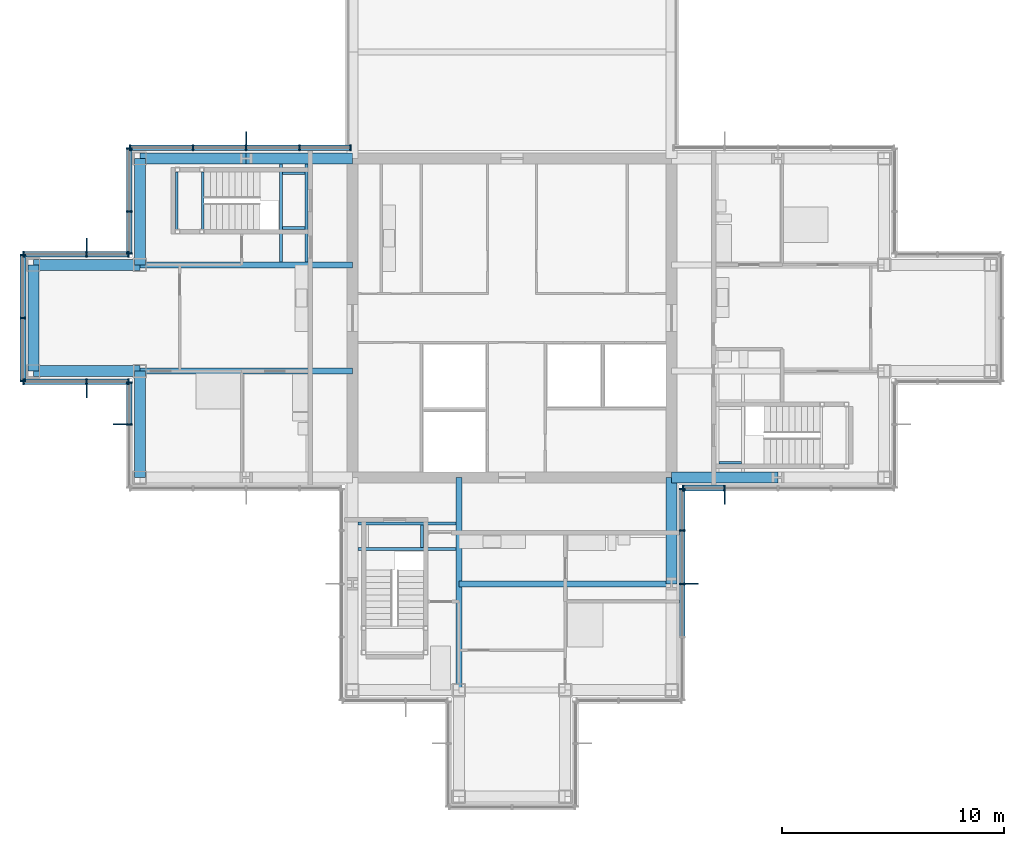
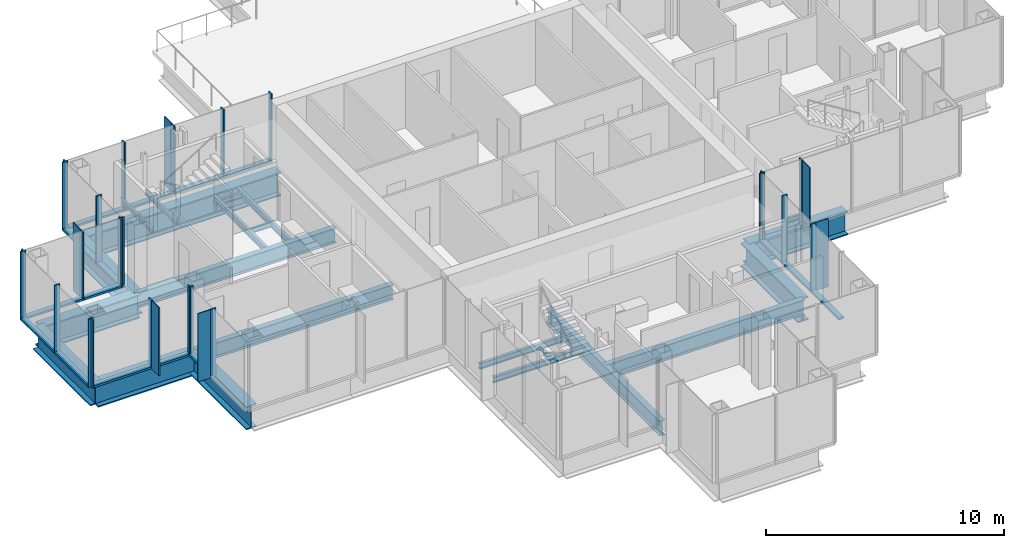
# One storey, part 6 of 14: 47 members, 23 beams, 8 elements without a shape of their own.
"""IFC4 building model written with IfcOpenShell, lengths in metres."""

import ifcopenshell
import ifcopenshell.guid

model = None  # the IFC model being written
_history = None  # IfcOwnerHistory: only IFC2X3 demands one
_inside = {}  # id of a spatial element -> (the spatial element, [elements in it])
_under = {}  # id of a project, library or spatial element -> (it, [spatial elements below it])
_declared = {}  # id of a project -> (the project, [libraries it declares])
_typed = {}  # id of a type object -> (the type object, [elements of that type])
_made_of = {}  # id of a material, layer set ... -> (it, [elements and type objects made of it])


def new_model(schema):
    """Start an empty IFC model of exactly this schema.

    Asked for "IFC4X3", IfcOpenShell would pick the latest addendum, in which some entities
    have other attributes; the version numbers below select the first issue.
    IFC2X3 requires an IfcOwnerHistory on every rooted entity: one is made here for all.
    """
    global model, _history
    if schema == "IFC4X3":
        model = ifcopenshell.file(schema_version=(4, 3, 0, 0))
    else:
        model = ifcopenshell.file(schema=schema)
    _inside.clear()
    _under.clear()
    _declared.clear()
    _typed.clear()
    _made_of.clear()
    _history = None
    if model.schema == "IFC2X3":
        org = make("IfcOrganization", Name="unknown")
        user = make(
            "IfcPersonAndOrganization",
            ThePerson=make("IfcPerson", FamilyName="unknown"),
            TheOrganization=org,
        )
        app = make(
            "IfcApplication",
            ApplicationDeveloper=org,
            Version="unknown",
            ApplicationFullName="unknown",
            ApplicationIdentifier="unknown",
        )
        _history = make(
            "IfcOwnerHistory",
            OwningUser=user,
            OwningApplication=app,
            ChangeAction="ADDED",
            CreationDate=0,
        )
    return model


def make(cls, **values):
    """One entity of the class cls with the attributes given. An attribute that is None is left unset."""
    return model.create_entity(
        cls, **{name: value for name, value in values.items() if value is not None}
    )


def rooted(cls, **values):
    """An entity with a GlobalId (a new one), such as an element, a storey or a relation."""
    return make(cls, GlobalId=ifcopenshell.guid.new(), OwnerHistory=_history, **values)


def si_unit(unit_type, name, prefix=None):
    """IfcSIUnit, for example si_unit("LENGTHUNIT", "METRE", prefix="MILLI")."""
    return make("IfcSIUnit", UnitType=unit_type, Prefix=prefix, Name=name)


def assignment(units):
    """IfcUnitAssignment: the units of a project."""
    return None if units is None else make("IfcUnitAssignment", Units=units)


def point(xyz):
    """IfcCartesianPoint."""
    return None if xyz is None else make("IfcCartesianPoint", Coordinates=xyz)


def direction(xyz):
    """IfcDirection."""
    return None if xyz is None else make("IfcDirection", DirectionRatios=xyz)


def frame(location, z_axis=None, x_axis=None):
    """IfcAxis2Placement3D, a coordinate frame: its origin and axes. An axis left out is left unset."""
    return make(
        "IfcAxis2Placement3D",
        Location=point(location),
        Axis=direction(z_axis),
        RefDirection=direction(x_axis),
    )


def frame_2d(location, x_axis=None):
    """IfcAxis2Placement2D, a coordinate frame in the plane: its origin and x axis."""
    return make(
        "IfcAxis2Placement2D", Location=point(location), RefDirection=direction(x_axis)
    )


def origin():
    """The frame at (0, 0, 0) with its axes left unset."""
    return frame((0.0, 0.0, 0.0))


def origin_2d():
    """The frame at (0, 0) in the plane with its x axis left unset."""
    return frame_2d((0.0, 0.0))


def place(relative_to, where):
    """IfcLocalPlacement: puts the frame where relative to a parent placement (None: the world)."""
    return make(
        "IfcLocalPlacement", PlacementRelTo=relative_to, RelativePlacement=where
    )


def context(
    kind, dimensions, precision=None, world=None, true_north=None, identifier=None
):
    """IfcGeometricRepresentationContext, for example the 3D "Model" context."""
    return make(
        "IfcGeometricRepresentationContext",
        ContextIdentifier=identifier,
        ContextType=kind,
        CoordinateSpaceDimension=dimensions,
        Precision=precision,
        WorldCoordinateSystem=world,
        TrueNorth=true_north,
    )


def subcontext(parent, identifier, kind, view, scale=None):
    """IfcGeometricRepresentationSubContext, for example "Body" below "Model"."""
    return make(
        "IfcGeometricRepresentationSubContext",
        ContextIdentifier=identifier,
        ContextType=kind,
        ParentContext=parent,
        TargetScale=scale,
        TargetView=view,
    )


def project(units=None, contexts=None):
    """IfcProject with its units and contexts."""
    return rooted(
        "IfcProject",
        Name="project",
        RepresentationContexts=contexts,
        UnitsInContext=assignment(units),
    )


def spatial(cls, under=None, at=None, **own):
    """A site, building, storey or space (cls), placed at a placement, below another one or the project."""
    s = rooted(cls, ObjectPlacement=at, **own)
    if under is not None:
        _under.setdefault(under.id(), (under, []))[1].append(s)
    return s


def profile(cls, at=None, kind="AREA", **sizes):
    """A parametric profile (cls). Its sizes go by their IFC names, for example OverallWidth=200.0."""
    return make(cls, ProfileType=kind, Position=at, **sizes)


def rectangle(**sizes):
    """IfcRectangleProfileDef."""
    return profile("IfcRectangleProfileDef", **sizes)


def i_section(**sizes):
    """IfcIShapeProfileDef."""
    return profile("IfcIShapeProfileDef", **sizes)


def extrude(swept, where, along, depth):
    """IfcExtrudedAreaSolid: the profile swept, set in the frame where, extruded along a direction by depth."""
    return make(
        "IfcExtrudedAreaSolid",
        SweptArea=swept,
        Position=where,
        ExtrudedDirection=direction(along),
        Depth=depth,
    )


def shape(context_of_items, identifier, shape_type, items):
    """IfcShapeRepresentation: the items that make up one representation, for example the "Body"."""
    return make(
        "IfcShapeRepresentation",
        ContextOfItems=context_of_items,
        RepresentationIdentifier=identifier,
        RepresentationType=shape_type,
        Items=items,
    )


def material(Name=None, Category=None):
    """IfcMaterial."""
    return make("IfcMaterial", Name=Name, Category=Category)


def material_profile(
    of_material, cross_section, Name=None, Category=None, Priority=None
):
    """IfcMaterialProfile: a cross section and its material."""
    return make(
        "IfcMaterialProfile",
        Name=Name,
        Material=of_material,
        Profile=cross_section,
        Priority=Priority,
        Category=Category,
    )


def profile_set(profiles, Name=None, composite=None):
    """IfcMaterialProfileSet."""
    return make(
        "IfcMaterialProfileSet",
        Name=Name,
        MaterialProfiles=profiles,
        CompositeProfile=composite,
    )


def made_of(thing, what):
    """Note that an element or type object is made of a material, layer set ...; save() writes the relation."""
    if what is not None:
        _made_of.setdefault(what.id(), (what, []))[1].append(thing)
    return thing


def type_object(cls, material=None, **own):
    """A type object (cls), such as IfcWallType, which elements share."""
    return made_of(rooted(cls, **own), material)


def element(
    cls,
    number,
    at=None,
    inside=None,
    cuts=None,
    type_object=None,
    material=None,
    context=None,
    identifier="Body",
    shape_type=None,
    held_by="IfcProductDefinitionShape",
    body=None,
    shapes=None,
    **own,
):
    """One element of the class cls, such as IfcWall. Its Tag is "e" and its number.

    at: its placement. inside: the storey or other place that contains it. cuts: it is an
    opening in that element (IfcRelVoidsElement). A single representation is given by context,
    identifier, shape_type and body (its items); several are given by shapes. held_by: the class
    of the entity that holds the representations. save() writes the other relations.
    """
    e = rooted(cls, Tag="e%d" % number, ObjectPlacement=at, **own)
    if body is not None:
        shapes = [shape(context, identifier, shape_type, body)]
    if shapes is not None:
        e.Representation = make(held_by, Representations=shapes)
    if inside is not None:
        _inside.setdefault(inside.id(), (inside, []))[1].append(e)
    if cuts is not None:
        rooted(
            "IfcRelVoidsElement", RelatingBuildingElement=cuts, RelatedOpeningElement=e
        )
    if type_object is not None:
        _typed.setdefault(type_object.id(), (type_object, []))[1].append(e)
    return made_of(e, material)


def aggregate(whole, parts):
    """IfcRelAggregates: a whole, such as a stair, and the parts it consists of."""
    return rooted("IfcRelAggregates", RelatingObject=whole, RelatedObjects=parts)


def save(model, path):
    """Write the relations noted so far, then the file.

    IfcRelAggregates (storeys below a building ...), IfcRelContainedInSpatialStructure (elements
    in a storey), IfcRelDefinesByType, IfcRelAssociatesMaterial and IfcRelDeclares: one each for
    every whole, place, type object, material and project.
    """
    for whole, parts in _under.values():
        aggregate(whole, parts)
    for where, things in _inside.values():
        rooted(
            "IfcRelContainedInSpatialStructure",
            RelatedElements=things,
            RelatingStructure=where,
        )
    for kind, things in _typed.values():
        rooted("IfcRelDefinesByType", RelatedObjects=things, RelatingType=kind)
    for what, things in _made_of.values():
        rooted("IfcRelAssociatesMaterial", RelatedObjects=things, RelatingMaterial=what)
    for by, libraries in _declared.values():
        rooted("IfcRelDeclares", RelatingContext=by, RelatedDefinitions=libraries)
    model.write(path)


model = new_model("IFC4")

# Units and contexts
model_context = context("Model", 3, precision=1e-05, world=origin(), true_north=direction((0.0, 1.0)))
body_context = subcontext(model_context, "Body", "Model", "MODEL_VIEW")
ifc_project = project(units=[si_unit("LENGTHUNIT", "METRE"), si_unit("AREAUNIT", "SQUARE_METRE"), si_unit("VOLUMEUNIT", "CUBIC_METRE"), si_unit("PLANEANGLEUNIT", "RADIAN"), si_unit("MASSUNIT", "GRAM", prefix="KILO")], contexts=[model_context])

# Site, building, storey
site_placement = place(None, origin())
site = spatial("IfcSite", under=ifc_project, at=site_placement, CompositionType="ELEMENT")
building_placement = place(site_placement, origin())
building = spatial("IfcBuilding", under=site, at=building_placement, Name="Kvirike Care Tower", CompositionType="ELEMENT")
storey_placement = place(building_placement, frame((0.0, 0.0, 194.5)))
storey = spatial("IfcBuildingStorey", under=building, at=storey_placement, Name="L53", CompositionType="ELEMENT", Elevation=194.5)

# Curtain wall, member
ifc_material_1 = material(Name="Anodised aluminium stick system", Category="aluminium")
curtain_wall_type = type_object("IfcCurtainWallType", Name="CW-D STICK CURTAIN WALL", PredefinedType="NOTDEFINED", material=ifc_material_1)
curtain_wall_1_placement = place(storey_placement, origin())
curtain_wall_1 = element("IfcCurtainWall", 1, at=curtain_wall_1_placement, inside=storey, type_object=curtain_wall_type, Name="Curtain wall L53 face 1", PredefinedType="NOTDEFINED")
ifc_material_2 = material(Name="Bronze anodised aluminium fin", Category="aluminium")
ifc_material_profile_1 = material_profile(ifc_material_2, rectangle(XDim=0.050048828125, YDim=0.60009765625, at=origin_2d()), Name="BRONZE FIN 600")
ifc_profile_set_1 = profile_set([ifc_material_profile_1], Name="Bronze anodised aluminium fin")
member_type_1 = type_object("IfcMemberType", Name="BRONZE FIN 600", PredefinedType="USERDEFINED", material=ifc_profile_set_1)
member_1_placement = place(storey_placement, frame((31.199951171875, 27.889892578125, 0.0), z_axis=(0.0, 0.0, 1.0), x_axis=(1.0, 0.0, 0.0)))
member_1 = element("IfcMember", 2, at=member_1_placement, type_object=member_type_1, Name="Bronze fin L53 face 1.2", ObjectType="FIN", PredefinedType="USERDEFINED", context=body_context, shape_type="SweptSolid", body=[
    extrude(rectangle(XDim=0.050048828125, YDim=0.60009765625, at=origin_2d()), origin(), (0.0, 0.0, 1.0), 3.5),
])

curtain_wall_2_placement = place(storey_placement, origin())
curtain_wall_2 = element("IfcCurtainWall", 3, at=curtain_wall_2_placement, inside=storey, type_object=curtain_wall_type, Name="Curtain wall L53 face 9", PredefinedType="NOTDEFINED")
member_2_placement = place(storey_placement, frame((9.60009765625, 44.110107421875, 0.0), z_axis=(0.0, 0.0, 1.0), x_axis=(-1.0, 0.0, 0.0)))
member_2 = element("IfcMember", 4, at=member_2_placement, type_object=member_type_1, Name="Bronze fin L53 face 9.3", ObjectType="FIN", PredefinedType="USERDEFINED", context=body_context, shape_type="SweptSolid", body=[
    extrude(rectangle(XDim=0.050048828125, YDim=0.60009765625, at=origin_2d()), origin(), (0.0, 0.0, 1.0), 3.5),
])

curtain_wall_3_placement = place(storey_placement, origin())
curtain_wall_3 = element("IfcCurtainWall", 5, at=curtain_wall_3_placement, inside=storey, type_object=curtain_wall_type, Name="Curtain wall L53 face 11", PredefinedType="NOTDEFINED")
member_3_placement = place(storey_placement, frame((2.39990234375, 39.31005859375, 0.0), z_axis=(0.0, 0.0, 1.0), x_axis=(-1.0, 0.0, 0.0)))
member_3 = element("IfcMember", 6, at=member_3_placement, type_object=member_type_1, Name="Bronze fin L53 face 11.2", ObjectType="FIN", PredefinedType="USERDEFINED", context=body_context, shape_type="SweptSolid", body=[
    extrude(rectangle(XDim=0.050048828125, YDim=0.60009765625, at=origin_2d()), origin(), (0.0, 0.0, 1.0), 3.5),
])

curtain_wall_4_placement = place(storey_placement, origin())
curtain_wall_4 = element("IfcCurtainWall", 7, at=curtain_wall_4_placement, inside=storey, type_object=curtain_wall_type, Name="Curtain wall L53 face 13", PredefinedType="NOTDEFINED")
member_4_placement = place(storey_placement, frame((2.39990234375, 32.68994140625, 0.0), z_axis=(0.0, 0.0, 1.0), x_axis=(1.0, 0.0, 0.0)))
member_4 = element("IfcMember", 8, at=member_4_placement, type_object=member_type_1, Name="Bronze fin L53 face 13.2", ObjectType="FIN", PredefinedType="USERDEFINED", context=body_context, shape_type="SweptSolid", body=[
    extrude(rectangle(XDim=0.050048828125, YDim=0.60009765625, at=origin_2d()), origin(), (0.0, 0.0, 1.0), 3.5),
])

curtain_wall_5_placement = place(storey_placement, origin())
curtain_wall_5 = element("IfcCurtainWall", 9, at=curtain_wall_5_placement, inside=storey, type_object=curtain_wall_type, Name="Curtain wall L53 face 14", PredefinedType="NOTDEFINED")
member_5_placement = place(storey_placement, frame((3.889892578125, 31.199951171875, 0.0), z_axis=(0.0, 0.0, 1.0), x_axis=(0.0, -1.0, 0.0)))
member_5 = element("IfcMember", 10, at=member_5_placement, type_object=member_type_1, Name="Bronze fin L53 face 14.2", ObjectType="FIN", PredefinedType="USERDEFINED", context=body_context, shape_type="SweptSolid", body=[
    extrude(rectangle(XDim=0.050048828125, YDim=0.60009765625, at=origin_2d()), origin(), (0.0, 0.0, 1.0), 3.5),
])

curtain_wall_6_placement = place(storey_placement, origin())
curtain_wall_6 = element("IfcCurtainWall", 11, at=curtain_wall_6_placement, inside=storey, type_object=curtain_wall_type, Name="Curtain wall L53 face 22", PredefinedType="NOTDEFINED")
member_6_placement = place(storey_placement, frame((29.7099609375, 24.0, 0.0), z_axis=(0.0, 0.0, 1.0), x_axis=(0.0, 1.0, 0.0)))
member_6 = element("IfcMember", 12, at=member_6_placement, type_object=member_type_1, Name="Bronze fin L53 face 22.3", ObjectType="FIN", PredefinedType="USERDEFINED", context=body_context, shape_type="SweptSolid", body=[
    extrude(rectangle(XDim=0.050048828125, YDim=0.60009765625, at=origin_2d()), origin(), (0.0, 0.0, 1.0), 3.5),
])

# Member
ifc_material_3 = material(Name="Bronze anodised aluminium mullion", Category="aluminium")
ifc_material_profile_2 = material_profile(ifc_material_3, rectangle(XDim=0.06494140625, YDim=0.260009765625, at=origin_2d()), Name="CW-D MULLION 65x260")
ifc_profile_set_2 = profile_set([ifc_material_profile_2], Name="Bronze anodised aluminium mullion")
member_type_2 = type_object("IfcMemberType", Name="CW-D MULLION 65x260", PredefinedType="MULLION", material=ifc_profile_set_2)
member_7_placement = place(storey_placement, frame((29.3125, 28.320068359375, 0.0), z_axis=(0.0, 0.0, 1.0), x_axis=(1.0, 0.0, 0.0)))
member_7 = element("IfcMember", 13, at=member_7_placement, type_object=member_type_2, Name="CW-D mullion L53 face 1.1", PredefinedType="MULLION", context=body_context, shape_type="SweptSolid", body=[
    extrude(rectangle(XDim=0.06494140625, YDim=0.260009765625, at=origin_2d()), origin(), (0.0, 0.0, 1.0), 3.5),
])

member_8_placement = place(storey_placement, frame((31.199951171875, 28.320068359375, 0.0), z_axis=(0.0, 0.0, 1.0), x_axis=(1.0, 0.0, 0.0)))
member_8 = element("IfcMember", 14, at=member_8_placement, type_object=member_type_2, Name="CW-D mullion L53 face 1.2", PredefinedType="MULLION", context=body_context, shape_type="SweptSolid", body=[
    extrude(rectangle(XDim=0.06494140625, YDim=0.260009765625, at=origin_2d()), origin(), (0.0, 0.0, 1.0), 3.5),
])

member_9_placement = place(storey_placement, frame((14.3173828125, 43.679931640625, 0.0), z_axis=(0.0, 0.0, 1.0), x_axis=(-1.0, 0.0, 0.0)))
member_9 = element("IfcMember", 15, at=member_9_placement, type_object=member_type_2, Name="CW-D mullion L53 face 9.1", PredefinedType="MULLION", context=body_context, shape_type="SweptSolid", body=[
    extrude(rectangle(XDim=0.06494140625, YDim=0.260009765625, at=origin_2d()), origin(), (0.0, 0.0, 1.0), 3.5),
])

member_10_placement = place(storey_placement, frame((12.0, 43.679931640625, 0.0), z_axis=(0.0, 0.0, 1.0), x_axis=(-1.0, 0.0, 0.0)))
member_10 = element("IfcMember", 16, at=member_10_placement, type_object=member_type_2, Name="CW-D mullion L53 face 9.2", PredefinedType="MULLION", context=body_context, shape_type="SweptSolid", body=[
    extrude(rectangle(XDim=0.06494140625, YDim=0.260009765625, at=origin_2d()), origin(), (0.0, 0.0, 1.0), 3.5),
])

member_11_placement = place(storey_placement, frame((9.60009765625, 43.679931640625, 0.0), z_axis=(0.0, 0.0, 1.0), x_axis=(-1.0, 0.0, 0.0)))
member_11 = element("IfcMember", 17, at=member_11_placement, type_object=member_type_2, Name="CW-D mullion L53 face 9.3", PredefinedType="MULLION", context=body_context, shape_type="SweptSolid", body=[
    extrude(rectangle(XDim=0.06494140625, YDim=0.260009765625, at=origin_2d()), origin(), (0.0, 0.0, 1.0), 3.5),
])

member_12_placement = place(storey_placement, frame((7.199951171875, 43.679931640625, 0.0), z_axis=(0.0, 0.0, 1.0), x_axis=(-1.0, 0.0, 0.0)))
member_12 = element("IfcMember", 18, at=member_12_placement, type_object=member_type_2, Name="CW-D mullion L53 face 9.4", PredefinedType="MULLION", context=body_context, shape_type="SweptSolid", body=[
    extrude(rectangle(XDim=0.06494140625, YDim=0.260009765625, at=origin_2d()), origin(), (0.0, 0.0, 1.0), 3.5),
])

member_13_placement = place(storey_placement, frame((4.3525390625, 43.679931640625, 0.0), z_axis=(0.0, 0.0, 1.0), x_axis=(-1.0, 0.0, 0.0)))
member_13 = element("IfcMember", 19, at=member_13_placement, type_object=member_type_2, Name="CW-D mullion L53 face 9.5", PredefinedType="MULLION", context=body_context, shape_type="SweptSolid", body=[
    extrude(rectangle(XDim=0.06494140625, YDim=0.260009765625, at=origin_2d()), origin(), (0.0, 0.0, 1.0), 3.5),
])

# Curtain wall, members
curtain_wall_7_placement = place(storey_placement, origin())
curtain_wall_7 = element("IfcCurtainWall", 20, at=curtain_wall_7_placement, inside=storey, type_object=curtain_wall_type, Name="Curtain wall L53 face 10", PredefinedType="NOTDEFINED")
member_14_placement = place(storey_placement, frame((4.320068359375, 43.6474609375, 0.0), z_axis=(0.0, 0.0, 1.0), x_axis=(0.0, -1.0, 0.0)))
member_14 = element("IfcMember", 21, at=member_14_placement, type_object=member_type_2, Name="CW-D mullion L53 face 10.1", PredefinedType="MULLION", context=body_context, shape_type="SweptSolid", body=[
    extrude(rectangle(XDim=0.06494140625, YDim=0.260009765625, at=origin_2d()), origin(), (0.0, 0.0, 1.0), 3.5),
])
member_15_placement = place(storey_placement, frame((4.320068359375, 40.800048828125, 0.0), z_axis=(0.0, 0.0, 1.0), x_axis=(0.0, -1.0, 0.0)))
member_15 = element("IfcMember", 22, at=member_15_placement, type_object=member_type_2, Name="CW-D mullion L53 face 10.2", PredefinedType="MULLION", context=body_context, shape_type="SweptSolid", body=[
    extrude(rectangle(XDim=0.06494140625, YDim=0.260009765625, at=origin_2d()), origin(), (0.0, 0.0, 1.0), 3.5),
])
member_16_placement = place(storey_placement, frame((4.320068359375, 38.91259765625, 0.0), z_axis=(0.0, 0.0, 1.0), x_axis=(0.0, -1.0, 0.0)))
member_16 = element("IfcMember", 23, at=member_16_placement, type_object=member_type_2, Name="CW-D mullion L53 face 10.3", PredefinedType="MULLION", context=body_context, shape_type="SweptSolid", body=[
    extrude(rectangle(XDim=0.06494140625, YDim=0.260009765625, at=origin_2d()), origin(), (0.0, 0.0, 1.0), 3.5),
])

# Member
member_17_placement = place(storey_placement, frame((4.28759765625, 38.8798828125, 0.0), z_axis=(0.0, 0.0, 1.0), x_axis=(-1.0, 0.0, 0.0)))
member_17 = element("IfcMember", 24, at=member_17_placement, type_object=member_type_2, Name="CW-D mullion L53 face 11.1", PredefinedType="MULLION", context=body_context, shape_type="SweptSolid", body=[
    extrude(rectangle(XDim=0.06494140625, YDim=0.260009765625, at=origin_2d()), origin(), (0.0, 0.0, 1.0), 3.5),
])

member_18_placement = place(storey_placement, frame((2.39990234375, 38.8798828125, 0.0), z_axis=(0.0, 0.0, 1.0), x_axis=(-1.0, 0.0, 0.0)))
member_18 = element("IfcMember", 25, at=member_18_placement, type_object=member_type_2, Name="CW-D mullion L53 face 11.2", PredefinedType="MULLION", context=body_context, shape_type="SweptSolid", body=[
    extrude(rectangle(XDim=0.06494140625, YDim=0.260009765625, at=origin_2d()), origin(), (0.0, 0.0, 1.0), 3.5),
])

member_19_placement = place(storey_placement, frame((-0.447509765625, 38.8798828125, 0.0), z_axis=(0.0, 0.0, 1.0), x_axis=(-1.0, 0.0, 0.0)))
member_19 = element("IfcMember", 26, at=member_19_placement, type_object=member_type_2, Name="CW-D mullion L53 face 11.3", PredefinedType="MULLION", context=body_context, shape_type="SweptSolid", body=[
    extrude(rectangle(XDim=0.06494140625, YDim=0.260009765625, at=origin_2d()), origin(), (0.0, 0.0, 1.0), 3.5),
])

# Curtain wall, members
curtain_wall_8_placement = place(storey_placement, origin())
curtain_wall_8 = element("IfcCurtainWall", 27, at=curtain_wall_8_placement, inside=storey, type_object=curtain_wall_type, Name="Curtain wall L53 face 12", PredefinedType="NOTDEFINED")
member_20_placement = place(storey_placement, frame((-0.47998046875, 38.847412109375, 0.0), z_axis=(0.0, 0.0, 1.0), x_axis=(0.0, -1.0, 0.0)))
member_20 = element("IfcMember", 28, at=member_20_placement, type_object=member_type_2, Name="CW-D mullion L53 face 12.1", PredefinedType="MULLION", context=body_context, shape_type="SweptSolid", body=[
    extrude(rectangle(XDim=0.06494140625, YDim=0.260009765625, at=origin_2d()), origin(), (0.0, 0.0, 1.0), 3.5),
])
member_21_placement = place(storey_placement, frame((-0.47998046875, 36.0, 0.0), z_axis=(0.0, 0.0, 1.0), x_axis=(0.0, -1.0, 0.0)))
member_21 = element("IfcMember", 29, at=member_21_placement, type_object=member_type_2, Name="CW-D mullion L53 face 12.2", PredefinedType="MULLION", context=body_context, shape_type="SweptSolid", body=[
    extrude(rectangle(XDim=0.06494140625, YDim=0.260009765625, at=origin_2d()), origin(), (0.0, 0.0, 1.0), 3.5),
])
member_22_placement = place(storey_placement, frame((-0.47998046875, 33.152587890625, 0.0), z_axis=(0.0, 0.0, 1.0), x_axis=(0.0, -1.0, 0.0)))
member_22 = element("IfcMember", 30, at=member_22_placement, type_object=member_type_2, Name="CW-D mullion L53 face 12.3", PredefinedType="MULLION", context=body_context, shape_type="SweptSolid", body=[
    extrude(rectangle(XDim=0.06494140625, YDim=0.260009765625, at=origin_2d()), origin(), (0.0, 0.0, 1.0), 3.5),
])

# Member
member_23_placement = place(storey_placement, frame((-0.447509765625, 33.1201171875, 0.0), z_axis=(0.0, 0.0, 1.0), x_axis=(1.0, 0.0, 0.0)))
member_23 = element("IfcMember", 31, at=member_23_placement, type_object=member_type_2, Name="CW-D mullion L53 face 13.1", PredefinedType="MULLION", context=body_context, shape_type="SweptSolid", body=[
    extrude(rectangle(XDim=0.06494140625, YDim=0.260009765625, at=origin_2d()), origin(), (0.0, 0.0, 1.0), 3.5),
])

member_24_placement = place(storey_placement, frame((2.39990234375, 33.1201171875, 0.0), z_axis=(0.0, 0.0, 1.0), x_axis=(1.0, 0.0, 0.0)))
member_24 = element("IfcMember", 32, at=member_24_placement, type_object=member_type_2, Name="CW-D mullion L53 face 13.2", PredefinedType="MULLION", context=body_context, shape_type="SweptSolid", body=[
    extrude(rectangle(XDim=0.06494140625, YDim=0.260009765625, at=origin_2d()), origin(), (0.0, 0.0, 1.0), 3.5),
])

member_25_placement = place(storey_placement, frame((4.28759765625, 33.1201171875, 0.0), z_axis=(0.0, 0.0, 1.0), x_axis=(1.0, 0.0, 0.0)))
member_25 = element("IfcMember", 33, at=member_25_placement, type_object=member_type_2, Name="CW-D mullion L53 face 13.3", PredefinedType="MULLION", context=body_context, shape_type="SweptSolid", body=[
    extrude(rectangle(XDim=0.06494140625, YDim=0.260009765625, at=origin_2d()), origin(), (0.0, 0.0, 1.0), 3.5),
])

member_26_placement = place(storey_placement, frame((4.320068359375, 33.08740234375, 0.0), z_axis=(0.0, 0.0, 1.0), x_axis=(0.0, -1.0, 0.0)))
member_26 = element("IfcMember", 34, at=member_26_placement, type_object=member_type_2, Name="CW-D mullion L53 face 14.1", PredefinedType="MULLION", context=body_context, shape_type="SweptSolid", body=[
    extrude(rectangle(XDim=0.06494140625, YDim=0.260009765625, at=origin_2d()), origin(), (0.0, 0.0, 1.0), 3.5),
])

member_27_placement = place(storey_placement, frame((4.320068359375, 31.199951171875, 0.0), z_axis=(0.0, 0.0, 1.0), x_axis=(0.0, -1.0, 0.0)))
member_27 = element("IfcMember", 35, at=member_27_placement, type_object=member_type_2, Name="CW-D mullion L53 face 14.2", PredefinedType="MULLION", context=body_context, shape_type="SweptSolid", body=[
    extrude(rectangle(XDim=0.06494140625, YDim=0.260009765625, at=origin_2d()), origin(), (0.0, 0.0, 1.0), 3.5),
])

member_28_placement = place(storey_placement, frame((29.280029296875, 24.0, 0.0), z_axis=(0.0, 0.0, 1.0), x_axis=(0.0, 1.0, 0.0)))
member_28 = element("IfcMember", 36, at=member_28_placement, type_object=member_type_2, Name="CW-D mullion L53 face 22.3", PredefinedType="MULLION", context=body_context, shape_type="SweptSolid", body=[
    extrude(rectangle(XDim=0.06494140625, YDim=0.260009765625, at=origin_2d()), origin(), (0.0, 0.0, 1.0), 3.5),
])

member_29_placement = place(storey_placement, frame((29.280029296875, 26.39990234375, 0.0), z_axis=(0.0, 0.0, 1.0), x_axis=(0.0, 1.0, 0.0)))
member_29 = element("IfcMember", 37, at=member_29_placement, type_object=member_type_2, Name="CW-D mullion L53 face 22.4", PredefinedType="MULLION", context=body_context, shape_type="SweptSolid", body=[
    extrude(rectangle(XDim=0.06494140625, YDim=0.260009765625, at=origin_2d()), origin(), (0.0, 0.0, 1.0), 3.5),
])

member_30_placement = place(storey_placement, frame((29.280029296875, 28.28759765625, 0.0), z_axis=(0.0, 0.0, 1.0), x_axis=(0.0, 1.0, 0.0)))
member_30 = element("IfcMember", 38, at=member_30_placement, type_object=member_type_2, Name="CW-D mullion L53 face 22.5", PredefinedType="MULLION", context=body_context, shape_type="SweptSolid", body=[
    extrude(rectangle(XDim=0.06494140625, YDim=0.260009765625, at=origin_2d()), origin(), (0.0, 0.0, 1.0), 3.5),
])

ifc_material_4 = material(Name="Bronze anodised aluminium transom", Category="aluminium")
ifc_material_profile_3 = material_profile(ifc_material_4, rectangle(XDim=0.260009765625, YDim=0.10009765625, at=origin_2d()), Name="CW-D TRANSOM 260x100")
ifc_profile_set_3 = profile_set([ifc_material_profile_3], Name="Bronze anodised aluminium transom")
member_type_3 = type_object("IfcMemberType", Name="CW-D TRANSOM 260x100", PredefinedType="USERDEFINED", material=ifc_profile_set_3)
member_31_placement = place(storey_placement, frame((29.344970703125, 28.320068359375, 0.050048828125), z_axis=(1.0, 0.0, 0.0), x_axis=(0.0, 1.0, 0.0)))
member_31 = element("IfcMember", 39, at=member_31_placement, type_object=member_type_3, Name="CW-D sill transom L53 face 1.1", ObjectType="TRANSOM", PredefinedType="USERDEFINED", context=body_context, shape_type="SweptSolid", body=[
    extrude(rectangle(XDim=0.260009765625, YDim=0.10009765625, at=origin_2d()), origin(), (0.0, 0.0, 1.0), 1.822509765625),
])

aggregate(curtain_wall_1, [member_7, member_8, member_1, member_31])

member_32_placement = place(storey_placement, frame((14.284912109375, 43.679931640625, 0.050048828125), z_axis=(-1.0, 0.0, 0.0), x_axis=(0.0, -1.0, 0.0)))
member_32 = element("IfcMember", 40, at=member_32_placement, type_object=member_type_3, Name="CW-D sill transom L53 face 9.1", ObjectType="TRANSOM", PredefinedType="USERDEFINED", context=body_context, shape_type="SweptSolid", body=[
    extrude(rectangle(XDim=0.260009765625, YDim=0.10009765625, at=origin_2d()), origin(), (0.0, 0.0, 1.0), 2.25244140625),
])

member_33_placement = place(storey_placement, frame((11.967529296875, 43.679931640625, 0.050048828125), z_axis=(-1.0, 0.0, 0.0), x_axis=(0.0, -1.0, 0.0)))
member_33 = element("IfcMember", 41, at=member_33_placement, type_object=member_type_3, Name="CW-D sill transom L53 face 9.2", ObjectType="TRANSOM", PredefinedType="USERDEFINED", context=body_context, shape_type="SweptSolid", body=[
    extrude(rectangle(XDim=0.260009765625, YDim=0.10009765625, at=origin_2d()), origin(), (0.0, 0.0, 1.0), 2.3349609375),
])

member_34_placement = place(storey_placement, frame((9.5673828125, 43.679931640625, 0.050048828125), z_axis=(-1.0, 0.0, 0.0), x_axis=(0.0, -1.0, 0.0)))
member_34 = element("IfcMember", 42, at=member_34_placement, type_object=member_type_3, Name="CW-D sill transom L53 face 9.3", ObjectType="TRANSOM", PredefinedType="USERDEFINED", context=body_context, shape_type="SweptSolid", body=[
    extrude(rectangle(XDim=0.260009765625, YDim=0.10009765625, at=origin_2d()), origin(), (0.0, 0.0, 1.0), 2.3349609375),
])

member_35_placement = place(storey_placement, frame((7.16748046875, 43.679931640625, 0.050048828125), z_axis=(-1.0, 0.0, 0.0), x_axis=(0.0, -1.0, 0.0)))
member_35 = element("IfcMember", 43, at=member_35_placement, type_object=member_type_3, Name="CW-D sill transom L53 face 9.4", ObjectType="TRANSOM", PredefinedType="USERDEFINED", context=body_context, shape_type="SweptSolid", body=[
    extrude(rectangle(XDim=0.260009765625, YDim=0.10009765625, at=origin_2d()), origin(), (0.0, 0.0, 1.0), 2.782470703125),
])

aggregate(curtain_wall_2, [member_9, member_10, member_11, member_2, member_12, member_13, member_32, member_33, member_34, member_35])

member_36_placement = place(storey_placement, frame((4.320068359375, 43.614990234375, 0.050048828125), z_axis=(0.0, -1.0, 0.0), x_axis=(1.0, 0.0, 0.0)))
member_36 = element("IfcMember", 44, at=member_36_placement, type_object=member_type_3, Name="CW-D sill transom L53 face 10.1", ObjectType="TRANSOM", PredefinedType="USERDEFINED", context=body_context, shape_type="SweptSolid", body=[
    extrude(rectangle(XDim=0.260009765625, YDim=0.10009765625, at=origin_2d()), origin(), (0.0, 0.0, 1.0), 2.782470703125),
])

member_37_placement = place(storey_placement, frame((4.320068359375, 40.767578125, 0.050048828125), z_axis=(0.0, -1.0, 0.0), x_axis=(1.0, 0.0, 0.0)))
member_37 = element("IfcMember", 45, at=member_37_placement, type_object=member_type_3, Name="CW-D sill transom L53 face 10.2", ObjectType="TRANSOM", PredefinedType="USERDEFINED", context=body_context, shape_type="SweptSolid", body=[
    extrude(rectangle(XDim=0.260009765625, YDim=0.10009765625, at=origin_2d()), origin(), (0.0, 0.0, 1.0), 1.822509765625),
])

aggregate(curtain_wall_7, [member_14, member_15, member_16, member_36, member_37])

member_38_placement = place(storey_placement, frame((4.2548828125, 38.8798828125, 0.050048828125), z_axis=(-1.0, 0.0, 0.0), x_axis=(0.0, -1.0, 0.0)))
member_38 = element("IfcMember", 46, at=member_38_placement, type_object=member_type_3, Name="CW-D sill transom L53 face 11.1", ObjectType="TRANSOM", PredefinedType="USERDEFINED", context=body_context, shape_type="SweptSolid", body=[
    extrude(rectangle(XDim=0.260009765625, YDim=0.10009765625, at=origin_2d()), origin(), (0.0, 0.0, 1.0), 1.822265625),
])

member_39_placement = place(storey_placement, frame((2.367431640625, 38.8798828125, 0.050048828125), z_axis=(-1.0, 0.0, 0.0), x_axis=(0.0, -1.0, 0.0)))
member_39 = element("IfcMember", 47, at=member_39_placement, type_object=member_type_3, Name="CW-D sill transom L53 face 11.2", ObjectType="TRANSOM", PredefinedType="USERDEFINED", context=body_context, shape_type="SweptSolid", body=[
    extrude(rectangle(XDim=0.260009765625, YDim=0.10009765625, at=origin_2d()), origin(), (0.0, 0.0, 1.0), 2.782470703125),
])

aggregate(curtain_wall_3, [member_17, member_18, member_3, member_19, member_38, member_39])

member_40_placement = place(storey_placement, frame((-0.47998046875, 38.81494140625, 0.050048828125), z_axis=(0.0, -1.0, 0.0), x_axis=(1.0, 0.0, 0.0)))
member_40 = element("IfcMember", 48, at=member_40_placement, type_object=member_type_3, Name="CW-D sill transom L53 face 12.1", ObjectType="TRANSOM", PredefinedType="USERDEFINED", context=body_context, shape_type="SweptSolid", body=[
    extrude(rectangle(XDim=0.260009765625, YDim=0.10009765625, at=origin_2d()), origin(), (0.0, 0.0, 1.0), 2.782470703125),
])

member_41_placement = place(storey_placement, frame((-0.47998046875, 35.967529296875, 0.050048828125), z_axis=(0.0, -1.0, 0.0), x_axis=(1.0, 0.0, 0.0)))
member_41 = element("IfcMember", 49, at=member_41_placement, type_object=member_type_3, Name="CW-D sill transom L53 face 12.2", ObjectType="TRANSOM", PredefinedType="USERDEFINED", context=body_context, shape_type="SweptSolid", body=[
    extrude(rectangle(XDim=0.260009765625, YDim=0.10009765625, at=origin_2d()), origin(), (0.0, 0.0, 1.0), 2.782470703125),
])

aggregate(curtain_wall_8, [member_20, member_21, member_22, member_40, member_41])

member_42_placement = place(storey_placement, frame((-0.4150390625, 33.1201171875, 0.050048828125), z_axis=(1.0, 0.0, 0.0), x_axis=(0.0, 1.0, 0.0)))
member_42 = element("IfcMember", 50, at=member_42_placement, type_object=member_type_3, Name="CW-D sill transom L53 face 13.1", ObjectType="TRANSOM", PredefinedType="USERDEFINED", context=body_context, shape_type="SweptSolid", body=[
    extrude(rectangle(XDim=0.260009765625, YDim=0.10009765625, at=origin_2d()), origin(), (0.0, 0.0, 1.0), 2.782470703125),
])

member_43_placement = place(storey_placement, frame((2.4326171875, 33.1201171875, 0.050048828125), z_axis=(1.0, 0.0, 0.0), x_axis=(0.0, 1.0, 0.0)))
member_43 = element("IfcMember", 51, at=member_43_placement, type_object=member_type_3, Name="CW-D sill transom L53 face 13.2", ObjectType="TRANSOM", PredefinedType="USERDEFINED", context=body_context, shape_type="SweptSolid", body=[
    extrude(rectangle(XDim=0.260009765625, YDim=0.10009765625, at=origin_2d()), origin(), (0.0, 0.0, 1.0), 1.822265625),
])

aggregate(curtain_wall_4, [member_23, member_24, member_4, member_25, member_42, member_43])

member_44_placement = place(storey_placement, frame((4.320068359375, 33.054931640625, 0.050048828125), z_axis=(0.0, -1.0, 0.0), x_axis=(1.0, 0.0, 0.0)))
member_44 = element("IfcMember", 52, at=member_44_placement, type_object=member_type_3, Name="CW-D sill transom L53 face 14.1", ObjectType="TRANSOM", PredefinedType="USERDEFINED", context=body_context, shape_type="SweptSolid", body=[
    extrude(rectangle(XDim=0.260009765625, YDim=0.10009765625, at=origin_2d()), origin(), (0.0, 0.0, 1.0), 1.822509765625),
])

aggregate(curtain_wall_5, [member_26, member_27, member_5, member_44])

member_45_placement = place(storey_placement, frame((29.280029296875, 21.632568359375, 0.050048828125), z_axis=(0.0, 1.0, 0.0), x_axis=(-1.0, 0.0, 0.0)))
member_45 = element("IfcMember", 53, at=member_45_placement, type_object=member_type_3, Name="CW-D sill transom L53 face 22.2", ObjectType="TRANSOM", PredefinedType="USERDEFINED", context=body_context, shape_type="SweptSolid", body=[
    extrude(rectangle(XDim=0.260009765625, YDim=0.10009765625, at=origin_2d()), origin(), (0.0, 0.0, 1.0), 2.3349609375),
])

member_46_placement = place(storey_placement, frame((29.280029296875, 24.032470703125, 0.050048828125), z_axis=(0.0, 1.0, 0.0), x_axis=(-1.0, 0.0, 0.0)))
member_46 = element("IfcMember", 54, at=member_46_placement, type_object=member_type_3, Name="CW-D sill transom L53 face 22.3", ObjectType="TRANSOM", PredefinedType="USERDEFINED", context=body_context, shape_type="SweptSolid", body=[
    extrude(rectangle(XDim=0.260009765625, YDim=0.10009765625, at=origin_2d()), origin(), (0.0, 0.0, 1.0), 2.3349609375),
])

member_47_placement = place(storey_placement, frame((29.280029296875, 26.4326171875, 0.050048828125), z_axis=(0.0, 1.0, 0.0), x_axis=(-1.0, 0.0, 0.0)))
member_47 = element("IfcMember", 55, at=member_47_placement, type_object=member_type_3, Name="CW-D sill transom L53 face 22.4", ObjectType="TRANSOM", PredefinedType="USERDEFINED", context=body_context, shape_type="SweptSolid", body=[
    extrude(rectangle(XDim=0.260009765625, YDim=0.10009765625, at=origin_2d()), origin(), (0.0, 0.0, 1.0), 1.822265625),
])

aggregate(curtain_wall_6, [member_28, member_6, member_29, member_30, member_45, member_46, member_47])

# Beams
ifc_material_5 = material(Name="Steel S355", Category="steel")
ifc_material_profile_4 = material_profile(ifc_material_5, i_section(OverallWidth=0.26806640625, OverallDepth=0.77001953125, WebThickness=0.015625, FlangeThickness=0.025390625, FilletRadius=0.01708984375, at=origin_2d()), Name="IPE 750x196")
ifc_profile_set_4 = profile_set([ifc_material_profile_4], Name="Steel S355")
beam_type_1 = type_object("IfcBeamType", Name="FLOOR BEAM IPE 750x196", PredefinedType="BEAM", material=ifc_profile_set_4)
beam_1_placement = place(storey_placement, frame((19.199951171875, 24.0, -0.554931640625), z_axis=(1.0, 0.0, 0.0), x_axis=(0.0, 1.0, 0.0)))
element("IfcBeam", 56, at=beam_1_placement, inside=storey, type_object=beam_type_1, Name="Floor Beam F7-F9 L53", PredefinedType="BEAM", context=body_context, shape_type="SweptSolid", body=[
    extrude(i_section(OverallWidth=0.26806640625, OverallDepth=0.77001953125, WebThickness=0.015625, FlangeThickness=0.025390625, FilletRadius=0.01708984375, at=origin_2d()), origin(), (0.0, 0.0, 1.0), 9.60009765625),
])
for number, where, z_axis, x_axis, name in (
    (57, (4.800048828125, 33.60009765625, -0.554931640625), (1.0, 0.0, 0.0), (0.0, 1.0, 0.0), "Floor Beam H4-H6 L53"),
    (58, (4.800048828125, 38.39990234375, -0.554931640625), (1.0, 0.0, 0.0), (0.0, 1.0, 0.0), "Floor Beam J4-J6 L53"),
):
    element("IfcBeam", number, at=place(storey_placement, frame(where, z_axis=z_axis, x_axis=x_axis)), inside=storey, type_object=beam_type_1, Name=name, PredefinedType="BEAM", context=body_context, shape_type="SweptSolid", body=[
        extrude(i_section(OverallWidth=0.26806640625, OverallDepth=0.77001953125, WebThickness=0.015625, FlangeThickness=0.025390625, FilletRadius=0.01708984375, at=origin_2d()), origin(), (0.0, 0.0, 1.0), 9.599853515625),
    ])
beam_2_placement = place(storey_placement, frame((19.199951171875, 19.199951171875, -0.554931640625), z_axis=(0.0, 1.0, 0.0), x_axis=(-1.0, 0.0, 0.0)))
element("IfcBeam", 59, at=beam_2_placement, inside=storey, type_object=beam_type_1, Name="Floor Beam E7-G7 L53", PredefinedType="BEAM", context=body_context, shape_type="SweptSolid", body=[
    extrude(i_section(OverallWidth=0.26806640625, OverallDepth=0.77001953125, WebThickness=0.015625, FlangeThickness=0.025390625, FilletRadius=0.01708984375, at=origin_2d()), origin(), (0.0, 0.0, 1.0), 9.60009765625),
])
ifc_material_6 = material(Name="Steel S355", Category="steel")
ifc_material_profile_5 = material_profile(ifc_material_6, i_section(OverallWidth=0.5, OverallDepth=1.199951171875, WebThickness=0.030029296875, FlangeThickness=0.06005859375, at=origin_2d()), Name="PG 1200x500x30x60")
ifc_profile_set_5 = profile_set([ifc_material_profile_5], Name="Steel S355")
beam_type_2 = type_object("IfcBeamType", Name="SPANDREL PG 1200x500x30x60", PredefinedType="SPANDREL", material=ifc_profile_set_5)
for number, where, z_axis, x_axis, name in (
    (60, (28.800048828125, 28.800048828125, -0.77001953125), (1.0, 0.0, 0.0), (0.0, 1.0, 0.0), "Spandrel G9-G10 L53"),
    (61, (0.0, 33.60009765625, -0.77001953125), (1.0, 0.0, 0.0), (0.0, 1.0, 0.0), "Spandrel H3-H4 L53"),
    (62, (0.0, 38.39990234375, -0.77001953125), (1.0, 0.0, 0.0), (0.0, 1.0, 0.0), "Spandrel J3-J4 L53"),
    (63, (4.800048828125, 43.199951171875, -0.77001953125), (1.0, 0.0, 0.0), (0.0, 1.0, 0.0), "Spandrel K4-K5 L53"),
):
    element("IfcBeam", number, at=place(storey_placement, frame(where, z_axis=z_axis, x_axis=x_axis)), inside=storey, type_object=beam_type_2, Name=name, PredefinedType="SPANDREL", context=body_context, shape_type="SweptSolid", body=[
        extrude(i_section(OverallWidth=0.5, OverallDepth=1.199951171875, WebThickness=0.030029296875, FlangeThickness=0.06005859375, at=origin_2d()), origin(), (0.0, 0.0, 1.0), 4.800048828125),
    ])
for number, where, z_axis, x_axis, name in (
    (64, (9.60009765625, 43.199951171875, -0.77001953125), (1.0, 0.0, 0.0), (0.0, 1.0, 0.0), "Spandrel K5-K6 L53"),
    (65, (0.0, 33.60009765625, -0.77001953125), (0.0, 1.0, 0.0), (-1.0, 0.0, 0.0), "Spandrel H3-J3 L53"),
):
    element("IfcBeam", number, at=place(storey_placement, frame(where, z_axis=z_axis, x_axis=x_axis)), inside=storey, type_object=beam_type_2, Name=name, PredefinedType="SPANDREL", context=body_context, shape_type="SweptSolid", body=[
        extrude(i_section(OverallWidth=0.5, OverallDepth=1.199951171875, WebThickness=0.030029296875, FlangeThickness=0.06005859375, at=origin_2d()), origin(), (0.0, 0.0, 1.0), 4.7998046875),
    ])
for number, where, z_axis, x_axis, name in (
    (66, (4.800048828125, 28.800048828125, -0.77001953125), (0.0, 1.0, 0.0), (-1.0, 0.0, 0.0), "Spandrel G4-H4 L53"),
    (67, (4.800048828125, 38.39990234375, -0.77001953125), (0.0, 1.0, 0.0), (-1.0, 0.0, 0.0), "Spandrel J4-K4 L53"),
    (68, (28.800048828125, 24.0, -0.77001953125), (0.0, 1.0, 0.0), (-1.0, 0.0, 0.0), "Spandrel F9-G9 L53"),
):
    element("IfcBeam", number, at=place(storey_placement, frame(where, z_axis=z_axis, x_axis=x_axis)), inside=storey, type_object=beam_type_2, Name=name, PredefinedType="SPANDREL", context=body_context, shape_type="SweptSolid", body=[
        extrude(i_section(OverallWidth=0.5, OverallDepth=1.199951171875, WebThickness=0.030029296875, FlangeThickness=0.06005859375, at=origin_2d()), origin(), (0.0, 0.0, 1.0), 4.800048828125),
    ])
ifc_material_7 = material(Name="Steel S355", Category="steel")
ifc_material_profile_6 = material_profile(ifc_material_7, i_section(OverallWidth=0.1201171875, OverallDepth=0.239990234375, WebThickness=0.006103515625, FlangeThickness=0.009765625, FilletRadius=0.014892578125, at=origin_2d()), Name="IPE 240")
ifc_profile_set_6 = profile_set([ifc_material_profile_6], Name="Steel S355")
beam_type_3 = type_object("IfcBeamType", Name="STAIR LANDING BEAM IPE 240", PredefinedType="BEAM", material=ifc_profile_set_6)
for number, where, z_axis, x_axis, name in (
    (69, (6.4599609375, 42.60009765625, 1.429931640625), (0.0, -1.0, 0.0), (1.0, 0.0, 0.0), "Stair 1 landing beam back L53"),
    (70, (7.639892578125, 42.60009765625, 1.429931640625), (0.0, -1.0, 0.0), (1.0, 0.0, 0.0), "Stair 1 landing beam front L53"),
):
    element("IfcBeam", number, at=place(storey_placement, frame(where, z_axis=z_axis, x_axis=x_axis)), inside=storey, type_object=beam_type_3, Name=name, PredefinedType="BEAM", context=body_context, shape_type="SweptSolid", body=[
        extrude(i_section(OverallWidth=0.1201171875, OverallDepth=0.239990234375, WebThickness=0.006103515625, FlangeThickness=0.009765625, FilletRadius=0.014892578125, at=origin_2d()), origin(), (0.0, 0.0, 1.0), 2.60009765625),
    ])
for number, where, z_axis, x_axis, name in (
    (71, (11.25, 42.5400390625, -0.320068359375), (1.0, 0.0, 0.0), (0.0, 1.0, 0.0), "Stair 1 landing edge beam 1 L53"),
    (72, (11.25, 40.06005859375, -0.320068359375), (1.0, 0.0, 0.0), (0.0, 1.0, 0.0), "Stair 1 landing edge beam 2 L53"),
    (73, (31.949951171875, 29.4599609375, -0.320068359375), (-1.0, 0.0, 0.0), (0.0, -1.0, 0.0), "Stair 2 landing edge beam 1 L53"),
    (74, (17.5400390625, 25.64990234375, -0.320068359375), (0.0, 1.0, 0.0), (-1.0, 0.0, 0.0), "Stair 5 landing edge beam 2 L53"),
):
    element("IfcBeam", number, at=place(storey_placement, frame(where, z_axis=z_axis, x_axis=x_axis)), inside=storey, type_object=beam_type_3, Name=name, PredefinedType="BEAM", context=body_context, shape_type="SweptSolid", body=[
        extrude(i_section(OverallWidth=0.1201171875, OverallDepth=0.239990234375, WebThickness=0.006103515625, FlangeThickness=0.009765625, FilletRadius=0.014892578125, at=origin_2d()), origin(), (0.0, 0.0, 1.0), 1.0),
    ])
ifc_material_8 = material(Name="Steel S355", Category="steel")
ifc_material_profile_7 = material_profile(ifc_material_8, i_section(OverallWidth=0.14990234375, OverallDepth=0.300048828125, WebThickness=0.007080078125, FlangeThickness=0.0107421875, FilletRadius=0.014892578125, at=origin_2d()), Name="IPE 300")
ifc_profile_set_7 = profile_set([ifc_material_profile_7], Name="Steel S355")
beam_type_4 = type_object("IfcBeamType", Name="STAIR TRIMMER IPE 300", PredefinedType="BEAM", material=ifc_profile_set_7)
for number, where, z_axis, x_axis, name in (
    (75, (11.175048828125, 42.949951171875, -0.35009765625), (0.0, -1.0, 0.0), (1.0, 0.0, 0.0), "Stair 1 trimmer 1 L53"),
    (76, (12.324951171875, 42.949951171875, -0.35009765625), (0.0, -1.0, 0.0), (1.0, 0.0, 0.0), "Stair 1 trimmer 2 L53"),
    (77, (14.64990234375, 25.574951171875, -0.35009765625), (1.0, 0.0, 0.0), (0.0, 1.0, 0.0), "Stair 5 trimmer 1 L53"),
    (78, (14.64990234375, 26.72509765625, -0.35009765625), (1.0, 0.0, 0.0), (0.0, 1.0, 0.0), "Stair 5 trimmer 2 L53"),
):
    element("IfcBeam", number, at=place(storey_placement, frame(where, z_axis=z_axis, x_axis=x_axis)), inside=storey, type_object=beam_type_4, Name=name, PredefinedType="BEAM", context=body_context, shape_type="SweptSolid", body=[
        extrude(i_section(OverallWidth=0.14990234375, OverallDepth=0.300048828125, WebThickness=0.007080078125, FlangeThickness=0.0107421875, FilletRadius=0.014892578125, at=origin_2d()), origin(), (0.0, 0.0, 1.0), 4.416015625),
    ])

save(model, "model.ifc")
